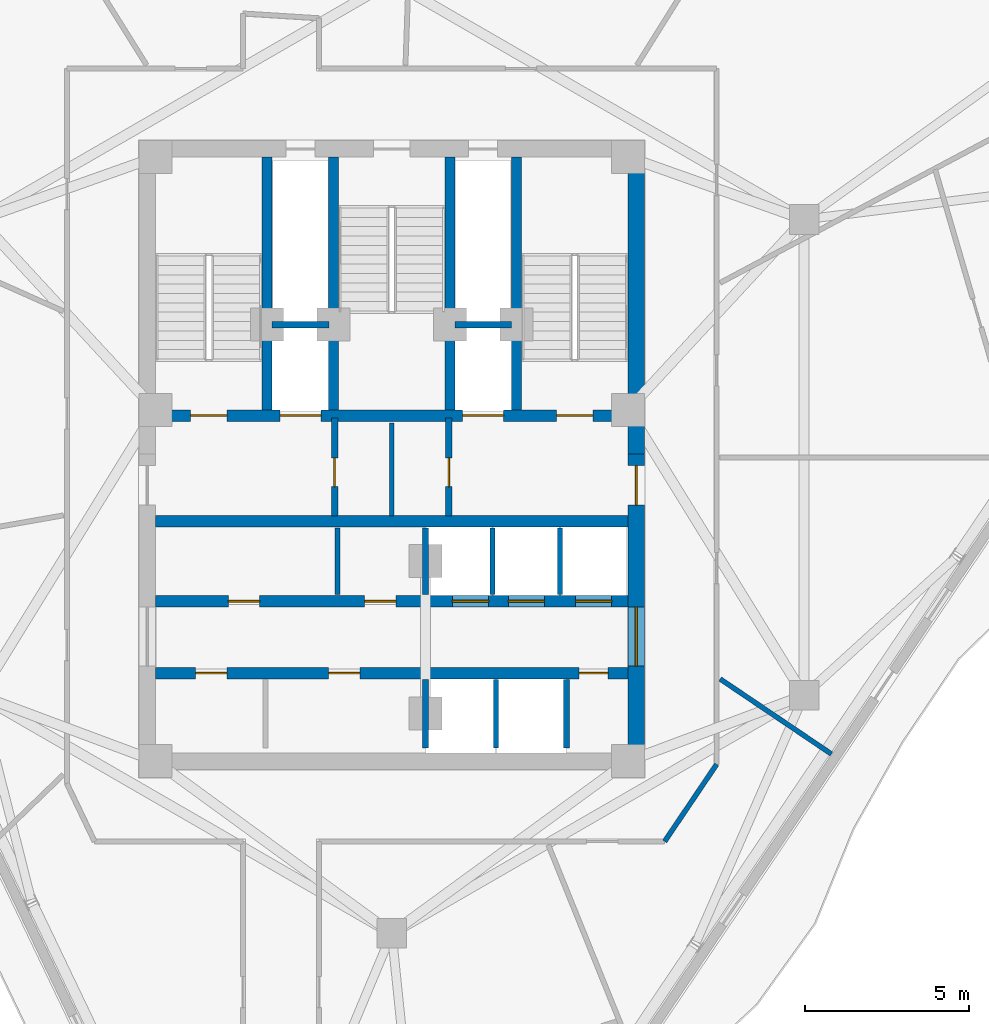
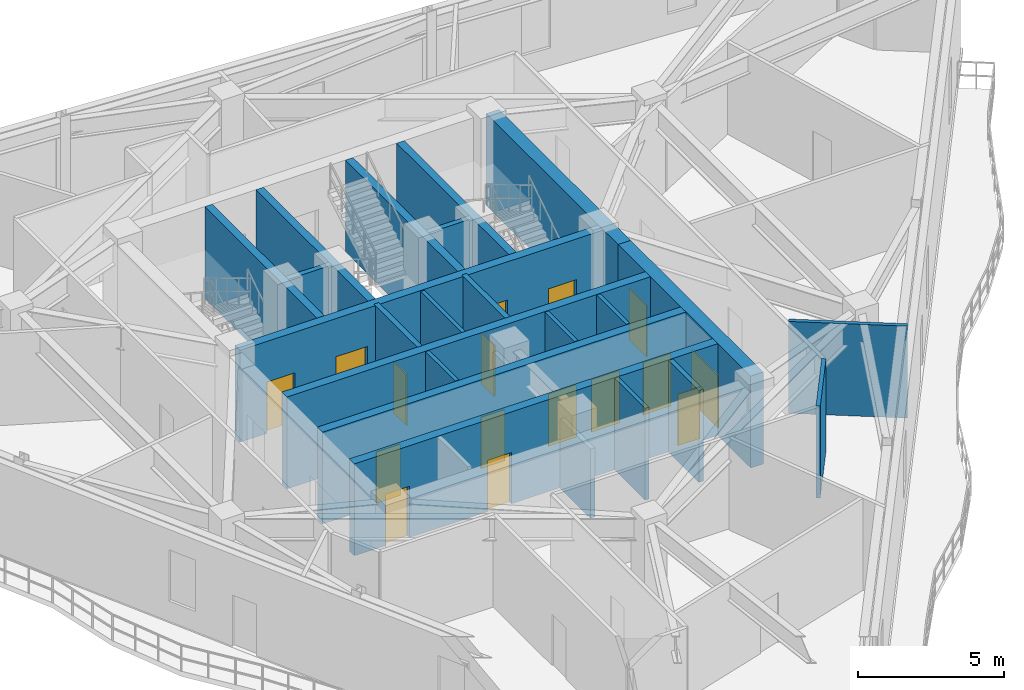
# One storey, part 6 of 11: 24 walls, 16 doors, 16 openings.
"""IFC4 building model written with IfcOpenShell, lengths in metres."""

from ifc_helpers import new_model, si_unit, direction, frame, frame_2d, origin, place, context, subcontext, project, spatial, rectangle, extrude, material, layer, layer_set, type_object, element, fill, save


model = new_model("IFC4")

# Units and contexts
model_context = context("Model", 3, precision=1e-05, world=origin(), true_north=direction((0.0, 1.0)))
body_context = subcontext(model_context, "Body", "Model", "MODEL_VIEW")
ifc_project = project(units=[si_unit("LENGTHUNIT", "METRE"), si_unit("AREAUNIT", "SQUARE_METRE"), si_unit("VOLUMEUNIT", "CUBIC_METRE"), si_unit("PLANEANGLEUNIT", "RADIAN"), si_unit("MASSUNIT", "GRAM", prefix="KILO")], contexts=[model_context])

# Site, building, storey
site_placement = place(None, origin())
site = spatial("IfcSite", under=ifc_project, at=site_placement, CompositionType="ELEMENT")
building_placement = place(site_placement, origin())
building = spatial("IfcBuilding", under=site, at=building_placement, Name="Apsidion Concourse Tower", CompositionType="ELEMENT")
storey_placement = place(building_placement, frame((0.0, 0.0, 306.5)))
storey = spatial("IfcBuildingStorey", under=building, at=storey_placement, Name="L72", CompositionType="ELEMENT", Elevation=306.5)

# Walls
ifc_material_1 = material(Name="Gypsum plasterboard partition")
ifc_layer_1 = layer(ifc_material_1, 0.14990234375)
ifc_layer_set_1 = layer_set([ifc_layer_1], Name="Gypsum plasterboard partition")
wall_type_1 = type_object("IfcWallType", Name="WL-INT-PAR-150", PredefinedType="PARTITIONING", material=ifc_layer_set_1)
for number, where, z_axis, x_axis, name in (
    (1, (-1.64990234375, -4.179931640625, 0.0), (0.0, 0.0, 1.0), (0.0, 1.0, 0.0), "L72 Interior Partition WL-L72-B1RV1"),
    (2, (3.074951171875, -4.179931640625, 0.0), (0.0, 0.0, 1.0), (0.0, 1.0, 0.0), "L72 Interior Partition WL-L72-B3DIV-1"),
    (3, (5.125, -4.179931640625, 0.0), (0.0, 0.0, 1.0), (0.0, 1.0, 0.0), "L72 Interior Partition WL-L72-B3DIV-2"),
):
    element("IfcWall", number, at=place(storey_placement, frame(where, z_axis=z_axis, x_axis=x_axis)), inside=storey, type_object=wall_type_1, Name=name, PredefinedType="PARTITIONING", context=body_context, shape_type="SweptSolid", body=[
        extrude(rectangle(XDim=2.030029296875, YDim=0.14990234375, at=frame_2d((1.01513671875, 0.0))), origin(), (0.0, 0.0, 1.0), 3.85009765625),
    ])
wall_1_placement = place(storey_placement, frame((3.175048828125, -8.85009765625, 0.0), z_axis=(0.0, 0.0, 1.0), x_axis=(0.0, 1.0, 0.0)))
element("IfcWall", 4, at=wall_1_placement, inside=storey, type_object=wall_type_1, Name="L72 Interior Partition WL-L72-SHDIV-1", PredefinedType="PARTITIONING", context=body_context, shape_type="SweptSolid", body=[
    extrude(rectangle(XDim=2.080078125, YDim=0.14990234375, at=frame_2d((1.0400390625, 0.0))), origin(), (0.0, 0.0, 1.0), 3.85009765625),
])
wall_2_placement = place(storey_placement, frame((0.0, -1.780029296875, 0.0), z_axis=(0.0, 0.0, 1.0), x_axis=(0.0, 1.0, 0.0)))
element("IfcWall", 5, at=wall_2_placement, inside=storey, type_object=wall_type_1, Name="L72 Interior Partition WL-L72-K3V", PredefinedType="PARTITIONING", context=body_context, shape_type="SweptSolid", body=[
    extrude(rectangle(XDim=2.830078125, YDim=0.14990234375, at=frame_2d((1.4150390625, 0.0))), origin(), (0.0, 0.0, 1.0), 3.85009765625),
])
wall_3_placement = place(storey_placement, frame((9.89990234375, -9.348388671875, 0.0), z_axis=(0.0, 0.0, 1.0), x_axis=(-0.559200828408, -0.829032227062, 0.0)))
element("IfcWall", 6, at=wall_3_placement, inside=storey, type_object=wall_type_1, Name="L72 Interior Partition WL-L72-CORR-10", PredefinedType="PARTITIONING", context=body_context, shape_type="SweptSolid", body=[
    extrude(rectangle(XDim=2.83642578125, YDim=0.14990234375, at=frame_2d((1.418212890625, 0.0))), origin(), (0.0, 0.0, 1.0), 3.85009765625),
])
wall_4_placement = place(storey_placement, frame((10.0048828125, -6.74853515625, 0.0), z_axis=(0.0, 0.0, 1.0), x_axis=(0.829060536135, -0.559158857056, 0.0)))
element("IfcWall", 7, at=wall_4_placement, inside=storey, type_object=wall_type_1, Name="L72 Interior Partition WL-L72-RAD-11-1", PredefinedType="PARTITIONING", context=body_context, shape_type="SweptSolid", body=[
    extrude(rectangle(XDim=4.086669921875, YDim=0.14990234375, at=frame_2d((2.04345703125, 0.0))), origin(), (0.0, 0.0, 1.0), 3.85009765625),
])
ifc_layer_2 = layer(ifc_material_1, 0.179931640625)
ifc_layer_set_2 = layer_set([ifc_layer_2], Name="Gypsum plasterboard partition")
wall_type_2 = type_object("IfcWallType", Name="WL-INT-PAR-180", PredefinedType="PARTITIONING", material=ifc_layer_set_2)
wall_5_placement = place(storey_placement, frame((1.02490234375, -4.179931640625, 0.0), z_axis=(0.0, 0.0, 1.0), x_axis=(0.0, 1.0, 0.0)))
element("IfcWall", 8, at=wall_5_placement, inside=storey, type_object=wall_type_2, Name="L72 Interior Partition WL-L72-B1END", PredefinedType="PARTITIONING", context=body_context, shape_type="SweptSolid", body=[
    extrude(rectangle(XDim=2.030029296875, YDim=0.179931640625, at=frame_2d((1.01513671875, 0.0))), origin(), (0.0, 0.0, 1.0), 2.89794921875),
])
wall_6_placement = place(storey_placement, frame((1.02490234375, -8.85009765625, 0.0), z_axis=(0.0, 0.0, 1.0), x_axis=(0.0, 1.0, 0.0)))
element("IfcWall", 9, at=wall_6_placement, inside=storey, type_object=wall_type_2, Name="L72 Interior Partition WL-L72-B2END", PredefinedType="PARTITIONING", context=body_context, shape_type="SweptSolid", body=[
    extrude(rectangle(XDim=2.080078125, YDim=0.179931640625, at=frame_2d((1.0400390625, 0.0))), origin(), (0.0, 0.0, 1.0), 2.89794921875),
])
wall_7_placement = place(storey_placement, frame((5.324951171875, -8.85009765625, 0.0), z_axis=(0.0, 0.0, 1.0), x_axis=(0.0, 1.0, 0.0)))
element("IfcWall", 10, at=wall_7_placement, inside=storey, type_object=wall_type_2, Name="L72 Interior Partition WL-L72-SHDIV-2", PredefinedType="PARTITIONING", context=body_context, shape_type="SweptSolid", body=[
    extrude(rectangle(XDim=2.080078125, YDim=0.179931640625, at=frame_2d((1.0400390625, 0.0))), origin(), (0.0, 0.0, 1.0), 3.85009765625),
])
ifc_layer_3 = layer(ifc_material_1, 0.199951171875)
ifc_layer_set_3 = layer_set([ifc_layer_3], Name="Gypsum plasterboard partition")
wall_type_3 = type_object("IfcWallType", Name="WL-INT-PAR-200", PredefinedType="PARTITIONING", material=ifc_layer_set_3)
for number, where, z_axis, x_axis, name in (
    (11, (-3.64990234375, 4.050048828125, 0.0), (0.0, 0.0, 1.0), (1.0, 0.0, 0.0), "L72 Interior Partition WL-L72-FF1-N"),
    (12, (1.919921875, 4.050048828125, 0.0), (0.0, 0.0, 1.0), (1.0, 0.0, 0.0), "L72 Interior Partition WL-L72-FF2-N"),
):
    element("IfcWall", number, at=place(storey_placement, frame(where, z_axis=z_axis, x_axis=x_axis)), inside=storey, type_object=wall_type_3, Name=name, PredefinedType="PARTITIONING", context=body_context, shape_type="SweptSolid", body=[
        extrude(rectangle(XDim=1.72998046875, YDim=0.199951171875, at=frame_2d((0.864990234375, 0.0))), origin(), (0.0, 0.0, 1.0), 3.85009765625),
    ])

# Wall, opening, door
wall_8_placement = place(storey_placement, frame((-1.739990234375, -1.780029296875, 0.0), z_axis=(0.0, 0.0, 1.0), x_axis=(0.0, 1.0, 0.0)))
wall_8 = element("IfcWall", 13, at=wall_8_placement, inside=storey, type_object=wall_type_3, Name="L72 Interior Partition WL-L72-FF1-E", PredefinedType="PARTITIONING", context=body_context, shape_type="SweptSolid", body=[
    extrude(rectangle(XDim=2.97998046875, YDim=0.199951171875, at=frame_2d((1.489990234375, 0.0))), origin(), (0.0, 0.0, 1.0), 3.85009765625),
])
opening_1_placement = place(wall_8_placement, frame((0.889892578125, 0.0, 0.0)))
opening_1 = element("IfcOpeningElement", 14, at=opening_1_placement, cuts=wall_8, Name="Opening D-05R", PredefinedType="OPENING", context=body_context, shape_type="SweptSolid", body=[
    extrude(rectangle(XDim=0.8798828125, YDim=2.14990234375, at=frame_2d((0.43994140625, 1.074951171875))), frame((0.0, 0.10986328125, 0.0), z_axis=(0.0, -1.0, 0.0), x_axis=(1.0, 0.0, 0.0)), (0.0, 0.0, 1.0), 0.219970703125),
])
ifc_material_2 = material(Name="Brushed stainless steel 316", Category="steel")
door_type_1 = type_object("IfcDoorType", Name="DR-INT-D05R", OperationType="SINGLE_SWING_RIGHT", PredefinedType="DOOR", material=ifc_material_2)
door_1_placement = place(opening_1_placement, origin())
door_1 = element("IfcDoor", 15, at=door_1_placement, inside=storey, type_object=door_type_1, Name="L72 Core Pantry Door", OperationType="SINGLE_SWING_RIGHT", OverallHeight=2.14990234375, OverallWidth=0.8798828125, PredefinedType="DOOR", context=body_context, shape_type="SweptSolid", body=[
    extrude(rectangle(XDim=0.8798828125, YDim=2.14990234375, at=frame_2d((0.43994140625, 1.074951171875))), frame((0.0, 0.02490234375, 0.0), z_axis=(0.0, -1.0, 0.0), x_axis=(1.0, 0.0, 0.0)), (0.0, 0.0, 1.0), 0.050048828125),
])
fill(opening_1, door_1)

wall_9_placement = place(storey_placement, frame((1.739990234375, -1.780029296875, 0.0), z_axis=(0.0, 0.0, 1.0), x_axis=(0.0, 1.0, 0.0)))
wall_9 = element("IfcWall", 16, at=wall_9_placement, inside=storey, type_object=wall_type_3, Name="L72 Interior Partition WL-L72-FF2-W", PredefinedType="PARTITIONING", context=body_context, shape_type="SweptSolid", body=[
    extrude(rectangle(XDim=2.97998046875, YDim=0.199951171875, at=frame_2d((1.489990234375, 0.0))), origin(), (0.0, 0.0, 1.0), 3.85009765625),
])
opening_2_placement = place(wall_9_placement, frame((0.889892578125, 0.0, 0.0)))
opening_2 = element("IfcOpeningElement", 17, at=opening_2_placement, cuts=wall_9, Name="Opening D-05L", PredefinedType="OPENING", context=body_context, shape_type="SweptSolid", body=[
    extrude(rectangle(XDim=0.8798828125, YDim=2.14990234375, at=frame_2d((0.43994140625, 1.074951171875))), frame((0.0, 0.10986328125, 0.0), z_axis=(0.0, -1.0, 0.0), x_axis=(1.0, 0.0, 0.0)), (0.0, 0.0, 1.0), 0.219970703125),
])
door_type_2 = type_object("IfcDoorType", Name="DR-INT-D05L", OperationType="SINGLE_SWING_LEFT", PredefinedType="DOOR", material=ifc_material_2)
door_2_placement = place(opening_2_placement, origin())
door_2 = element("IfcDoor", 18, at=door_2_placement, inside=storey, type_object=door_type_2, Name="L72 Core Electrical Door", OperationType="SINGLE_SWING_LEFT", OverallHeight=2.14990234375, OverallWidth=0.8798828125, PredefinedType="DOOR", context=body_context, shape_type="SweptSolid", body=[
    extrude(rectangle(XDim=0.8798828125, YDim=2.14990234375, at=frame_2d((0.43994140625, 1.074951171875))), frame((0.0, 0.02490234375, 0.0), z_axis=(0.0, -1.0, 0.0), x_axis=(1.0, 0.0, 0.0)), (0.0, 0.0, 1.0), 0.050048828125),
])
fill(opening_2, door_2)

# Walls
ifc_material_3 = material(Name="Concrete C50/60", Category="concrete")
ifc_layer_4 = layer(ifc_material_3, 0.300048828125)
ifc_layer_set_4 = layer_set([ifc_layer_4], Name="Concrete C50/60")
wall_type_4 = type_object("IfcWallType", Name="WL-SH-300", PredefinedType="SHEAR", material=ifc_layer_set_4)
for number, where, z_axis, x_axis, name in (
    (19, (-3.800048828125, 1.449951171875, 0.0), (0.0, 0.0, 1.0), (0.0, 1.0, 0.0), "L72 Central Core Shear Wall V1"),
    (20, (-1.77490234375, 1.449951171875, 0.0), (0.0, 0.0, 1.0), (0.0, 1.0, 0.0), "L72 Central Core Shear Wall V2"),
    (21, (1.77490234375, 1.449951171875, 0.0), (0.0, 0.0, 1.0), (0.0, 1.0, 0.0), "L72 Central Core Shear Wall V3"),
    (22, (3.800048828125, 1.449951171875, 0.0), (0.0, 0.0, 1.0), (0.0, 1.0, 0.0), "L72 Central Core Shear Wall V4"),
):
    element("IfcWall", number, at=place(storey_placement, frame(where, z_axis=z_axis, x_axis=x_axis)), inside=storey, type_object=wall_type_4, Name=name, PredefinedType="SHEAR", context=body_context, shape_type="SweptSolid", body=[
        extrude(rectangle(XDim=7.699951171875, YDim=0.300048828125, at=frame_2d((3.85009765625, 0.0))), origin(), (0.0, 0.0, 1.0), 3.85009765625),
    ])

# Wall, openings, doors
ifc_layer_5 = layer(ifc_material_3, 0.35009765625)
ifc_layer_set_5 = layer_set([ifc_layer_5], Name="Concrete C50/60")
wall_type_5 = type_object("IfcWallType", Name="WL-SH-350", PredefinedType="SHEAR", material=ifc_layer_set_5)
wall_10_placement = place(storey_placement, frame((-7.199951171875, 1.27490234375, 0.0), z_axis=(0.0, 0.0, 1.0), x_axis=(1.0, 0.0, 0.0)))
wall_10 = element("IfcWall", 23, at=wall_10_placement, inside=storey, type_object=wall_type_5, Name="L72 Central Core Shear Wall M1", PredefinedType="SHEAR", context=body_context, shape_type="SweptSolid", body=[
    extrude(rectangle(XDim=14.39990234375, YDim=0.35009765625, at=frame_2d((7.199951171875, 0.0))), origin(), (0.0, 0.0, 1.0), 3.85009765625),
])
opening_3_placement = place(wall_10_placement, frame((3.794921875, 0.0, 0.0)))
opening_3 = element("IfcOpeningElement", 24, at=opening_3_placement, cuts=wall_10, Name="Opening LD-FF", PredefinedType="OPENING", context=body_context, shape_type="SweptSolid", body=[
    extrude(rectangle(XDim=1.25, YDim=2.25, at=frame_2d((0.625, 1.125))), frame((0.0, 0.18505859375, 0.0), z_axis=(0.0, -1.0, 0.0), x_axis=(1.0, 0.0, 0.0)), (0.0, 0.0, 1.0), 0.3701171875),
])
opening_4_placement = place(wall_10_placement, frame((9.35498046875, 0.0, 0.0)))
opening_4 = element("IfcOpeningElement", 25, at=opening_4_placement, cuts=wall_10, Name="Opening LD-FF", PredefinedType="OPENING", context=body_context, shape_type="SweptSolid", body=[
    extrude(rectangle(XDim=1.25, YDim=2.25, at=frame_2d((0.625, 1.125))), frame((0.0, 0.18505859375, 0.0), z_axis=(0.0, -1.0, 0.0), x_axis=(1.0, 0.0, 0.0)), (0.0, 0.0, 1.0), 0.3701171875),
])
opening_5_placement = place(wall_10_placement, frame((1.074951171875, 0.0, 0.0)))
opening_5 = element("IfcOpeningElement", 26, at=opening_5_placement, cuts=wall_10, Name="Opening D-STL", PredefinedType="OPENING", context=body_context, shape_type="SweptSolid", body=[
    extrude(rectangle(XDim=1.10009765625, YDim=2.14990234375, at=frame_2d((0.550048828125, 1.074951171875))), frame((0.0, 0.18505859375, 0.0), z_axis=(0.0, -1.0, 0.0), x_axis=(1.0, 0.0, 0.0)), (0.0, 0.0, 1.0), 0.3701171875),
])
opening_6_placement = place(wall_10_placement, frame((12.22509765625, 0.0, 0.0)))
opening_6 = element("IfcOpeningElement", 27, at=opening_6_placement, cuts=wall_10, Name="Opening D-STR", PredefinedType="OPENING", context=body_context, shape_type="SweptSolid", body=[
    extrude(rectangle(XDim=1.10009765625, YDim=2.14990234375, at=frame_2d((0.550048828125, 1.074951171875))), frame((0.0, 0.18505859375, 0.0), z_axis=(0.0, -1.0, 0.0), x_axis=(1.0, 0.0, 0.0)), (0.0, 0.0, 1.0), 0.3701171875),
])
door_type_3 = type_object("IfcDoorType", Name="DR-INT-ST1L", OperationType="SINGLE_SWING_LEFT", PredefinedType="DOOR", material=ifc_material_2)
door_3_placement = place(opening_5_placement, origin())
door_3 = element("IfcDoor", 28, at=door_3_placement, inside=storey, type_object=door_type_3, Name="L72 Core Exit Stair ST1 Door", OperationType="SINGLE_SWING_LEFT", OverallHeight=2.14990234375, OverallWidth=1.10009765625, PredefinedType="DOOR", context=body_context, shape_type="SweptSolid", body=[
    extrude(rectangle(XDim=1.10009765625, YDim=2.14990234375, at=frame_2d((0.550048828125, 1.074951171875))), frame((0.0, 0.02490234375, 0.0), z_axis=(0.0, -1.0, 0.0), x_axis=(1.0, 0.0, 0.0)), (0.0, 0.0, 1.0), 0.050048828125),
])
fill(opening_5, door_3)
door_type_4 = type_object("IfcDoorType", Name="DR-INT-ST1R", OperationType="SINGLE_SWING_RIGHT", PredefinedType="DOOR", material=ifc_material_2)
door_4_placement = place(opening_6_placement, origin())
door_4 = element("IfcDoor", 29, at=door_4_placement, inside=storey, type_object=door_type_4, Name="L72 Core Exit Stair ST2 Door", OperationType="SINGLE_SWING_RIGHT", OverallHeight=2.14990234375, OverallWidth=1.10009765625, PredefinedType="DOOR", context=body_context, shape_type="SweptSolid", body=[
    extrude(rectangle(XDim=1.10009765625, YDim=2.14990234375, at=frame_2d((0.550048828125, 1.074951171875))), frame((0.0, 0.02490234375, 0.0), z_axis=(0.0, -1.0, 0.0), x_axis=(1.0, 0.0, 0.0)), (0.0, 0.0, 1.0), 0.050048828125),
])
fill(opening_6, door_4)
door_type_5 = type_object("IfcDoorType", Name="DR-LD-FSAE", OperationType="DOUBLE_DOOR_SLIDING", PredefinedType="DOOR", material=ifc_material_2)
door_5_placement = place(opening_3_placement, origin())
door_5 = element("IfcDoor", 30, at=door_5_placement, inside=storey, type_object=door_type_5, Name="L72 Lift Landing Door FF1", OperationType="DOUBLE_DOOR_SLIDING", OverallHeight=2.25, OverallWidth=1.25, PredefinedType="DOOR", context=body_context, shape_type="SweptSolid", body=[
    extrude(rectangle(XDim=1.25, YDim=2.25, at=frame_2d((0.625, 1.125))), frame((0.0, 0.02490234375, 0.0), z_axis=(0.0, -1.0, 0.0), x_axis=(1.0, 0.0, 0.0)), (0.0, 0.0, 1.0), 0.050048828125),
])
fill(opening_3, door_5)
door_6_placement = place(opening_4_placement, origin())
door_6 = element("IfcDoor", 31, at=door_6_placement, inside=storey, type_object=door_type_5, Name="L72 Lift Landing Door FF2", OperationType="DOUBLE_DOOR_SLIDING", OverallHeight=2.25, OverallWidth=1.25, PredefinedType="DOOR", context=body_context, shape_type="SweptSolid", body=[
    extrude(rectangle(XDim=1.25, YDim=2.25, at=frame_2d((0.625, 1.125))), frame((0.0, 0.02490234375, 0.0), z_axis=(0.0, -1.0, 0.0), x_axis=(1.0, 0.0, 0.0)), (0.0, 0.0, 1.0), 0.050048828125),
])
fill(opening_4, door_6)

# Wall
wall_11_placement = place(storey_placement, frame((-7.199951171875, -1.949951171875, 0.0), z_axis=(0.0, 0.0, 1.0), x_axis=(1.0, 0.0, 0.0)))
element("IfcWall", 32, at=wall_11_placement, inside=storey, type_object=wall_type_5, Name="L72 Central Core Shear Wall M2", PredefinedType="SHEAR", context=body_context, shape_type="SweptSolid", body=[
    extrude(rectangle(XDim=14.39990234375, YDim=0.35009765625, at=frame_2d((7.199951171875, 0.0))), origin(), (0.0, 0.0, 1.0), 3.85009765625),
])

# Wall, openings, doors
wall_12_placement = place(storey_placement, frame((-7.199951171875, -4.3798828125, 0.0), z_axis=(0.0, 0.0, 1.0), x_axis=(1.0, 0.0, 0.0)))
wall_12 = element("IfcWall", 33, at=wall_12_placement, inside=storey, type_object=wall_type_5, Name="L72 Central Core Shear Wall LA", PredefinedType="SHEAR", context=body_context, shape_type="SweptSolid", body=[
    extrude(rectangle(XDim=14.39990234375, YDim=0.35009765625, at=frame_2d((7.199951171875, 0.0))), origin(), (0.0, 0.0, 1.0), 3.85009765625),
])
opening_7_placement = place(wall_12_placement, frame((9.050048828125, 0.0, 0.0)))
opening_7 = element("IfcOpeningElement", 34, at=opening_7_placement, cuts=wall_12, Name="Opening LD-P1", PredefinedType="OPENING", context=body_context, shape_type="SweptSolid", body=[
    extrude(rectangle(XDim=1.10009765625, YDim=2.199951171875, at=frame_2d((0.550048828125, 1.10009765625))), frame((0.0, 0.18505859375, 0.0), z_axis=(0.0, -1.0, 0.0), x_axis=(1.0, 0.0, 0.0)), (0.0, 0.0, 1.0), 0.3701171875),
])
opening_8_placement = place(wall_12_placement, frame((10.75, 0.0, 0.0)))
opening_8 = element("IfcOpeningElement", 35, at=opening_8_placement, cuts=wall_12, Name="Opening LD-P1", PredefinedType="OPENING", context=body_context, shape_type="SweptSolid", body=[
    extrude(rectangle(XDim=1.10009765625, YDim=2.199951171875, at=frame_2d((0.550048828125, 1.10009765625))), frame((0.0, 0.18505859375, 0.0), z_axis=(0.0, -1.0, 0.0), x_axis=(1.0, 0.0, 0.0)), (0.0, 0.0, 1.0), 0.3701171875),
])
opening_9_placement = place(wall_12_placement, frame((12.800048828125, 0.0, 0.0)))
opening_9 = element("IfcOpeningElement", 36, at=opening_9_placement, cuts=wall_12, Name="Opening LD-P1", PredefinedType="OPENING", context=body_context, shape_type="SweptSolid", body=[
    extrude(rectangle(XDim=1.10009765625, YDim=2.199951171875, at=frame_2d((0.550048828125, 1.10009765625))), frame((0.0, 0.18505859375, 0.0), z_axis=(0.0, -1.0, 0.0), x_axis=(1.0, 0.0, 0.0)), (0.0, 0.0, 1.0), 0.3701171875),
])
opening_10_placement = place(wall_12_placement, frame((2.22509765625, 0.0, 0.0)))
opening_10 = element("IfcOpeningElement", 37, at=opening_10_placement, cuts=wall_12, Name="Opening D-04L", PredefinedType="OPENING", context=body_context, shape_type="SweptSolid", body=[
    extrude(rectangle(XDim=0.949951171875, YDim=2.14990234375, at=frame_2d((0.47509765625, 1.074951171875))), frame((0.0, 0.18505859375, 0.0), z_axis=(0.0, -1.0, 0.0), x_axis=(1.0, 0.0, 0.0)), (0.0, 0.0, 1.0), 0.3701171875),
])
opening_11_placement = place(wall_12_placement, frame((6.375, 0.0, 0.0)))
opening_11 = element("IfcOpeningElement", 38, at=opening_11_placement, cuts=wall_12, Name="Opening D-04R", PredefinedType="OPENING", context=body_context, shape_type="SweptSolid", body=[
    extrude(rectangle(XDim=0.949951171875, YDim=2.14990234375, at=frame_2d((0.47509765625, 1.074951171875))), frame((0.0, 0.18505859375, 0.0), z_axis=(0.0, -1.0, 0.0), x_axis=(1.0, 0.0, 0.0)), (0.0, 0.0, 1.0), 0.3701171875),
])
door_type_6 = type_object("IfcDoorType", Name="DR-INT-D04L", OperationType="SINGLE_SWING_LEFT", PredefinedType="DOOR", material=ifc_material_2)
door_7_placement = place(opening_10_placement, origin())
door_7 = element("IfcDoor", 39, at=door_7_placement, inside=storey, type_object=door_type_6, Name="L72 Tenant Records Archive Room Door", OperationType="SINGLE_SWING_LEFT", OverallHeight=2.14990234375, OverallWidth=0.949951171875, PredefinedType="DOOR", context=body_context, shape_type="SweptSolid", body=[
    extrude(rectangle(XDim=0.949951171875, YDim=2.14990234375, at=frame_2d((0.47509765625, 1.074951171875))), frame((0.0, 0.02490234375, 0.0), z_axis=(0.0, -1.0, 0.0), x_axis=(1.0, 0.0, 0.0)), (0.0, 0.0, 1.0), 0.050048828125),
])
fill(opening_10, door_7)
door_type_7 = type_object("IfcDoorType", Name="DR-INT-D04R", OperationType="SINGLE_SWING_RIGHT", PredefinedType="DOOR", material=ifc_material_2)
door_8_placement = place(opening_11_placement, origin())
door_8 = element("IfcDoor", 40, at=door_8_placement, inside=storey, type_object=door_type_7, Name="L72 Core Beverage Pantry Door", OperationType="SINGLE_SWING_RIGHT", OverallHeight=2.14990234375, OverallWidth=0.949951171875, PredefinedType="DOOR", context=body_context, shape_type="SweptSolid", body=[
    extrude(rectangle(XDim=0.949951171875, YDim=2.14990234375, at=frame_2d((0.47509765625, 1.074951171875))), frame((0.0, 0.02490234375, 0.0), z_axis=(0.0, -1.0, 0.0), x_axis=(1.0, 0.0, 0.0)), (0.0, 0.0, 1.0), 0.050048828125),
])
fill(opening_11, door_8)
door_type_8 = type_object("IfcDoorType", Name="DR-LD-PASS", OperationType="DOUBLE_DOOR_SLIDING", PredefinedType="DOOR", material=ifc_material_2)
door_9_placement = place(opening_7_placement, origin())
door_9 = element("IfcDoor", 41, at=door_9_placement, inside=storey, type_object=door_type_8, Name="L72 Lift Landing Door P9", OperationType="DOUBLE_DOOR_SLIDING", OverallHeight=2.199951171875, OverallWidth=1.10009765625, PredefinedType="DOOR", context=body_context, shape_type="SweptSolid", body=[
    extrude(rectangle(XDim=1.10009765625, YDim=2.199951171875, at=frame_2d((0.550048828125, 1.10009765625))), frame((0.0, 0.02490234375, 0.0), z_axis=(0.0, -1.0, 0.0), x_axis=(1.0, 0.0, 0.0)), (0.0, 0.0, 1.0), 0.050048828125),
])
fill(opening_7, door_9)
door_10_placement = place(opening_8_placement, origin())
door_10 = element("IfcDoor", 42, at=door_10_placement, inside=storey, type_object=door_type_8, Name="L72 Lift Landing Door P10", OperationType="DOUBLE_DOOR_SLIDING", OverallHeight=2.199951171875, OverallWidth=1.10009765625, PredefinedType="DOOR", context=body_context, shape_type="SweptSolid", body=[
    extrude(rectangle(XDim=1.10009765625, YDim=2.199951171875, at=frame_2d((0.550048828125, 1.10009765625))), frame((0.0, 0.02490234375, 0.0), z_axis=(0.0, -1.0, 0.0), x_axis=(1.0, 0.0, 0.0)), (0.0, 0.0, 1.0), 0.050048828125),
])
fill(opening_8, door_10)
door_11_placement = place(opening_9_placement, origin())
door_11 = element("IfcDoor", 43, at=door_11_placement, inside=storey, type_object=door_type_8, Name="L72 Lift Landing Door P11", OperationType="DOUBLE_DOOR_SLIDING", OverallHeight=2.199951171875, OverallWidth=1.10009765625, PredefinedType="DOOR", context=body_context, shape_type="SweptSolid", body=[
    extrude(rectangle(XDim=1.10009765625, YDim=2.199951171875, at=frame_2d((0.550048828125, 1.10009765625))), frame((0.0, 0.02490234375, 0.0), z_axis=(0.0, -1.0, 0.0), x_axis=(1.0, 0.0, 0.0)), (0.0, 0.0, 1.0), 0.050048828125),
])
fill(opening_9, door_11)

wall_13_placement = place(storey_placement, frame((-7.199951171875, -6.570068359375, 0.0), z_axis=(0.0, 0.0, 1.0), x_axis=(1.0, 0.0, 0.0)))
wall_13 = element("IfcWall", 44, at=wall_13_placement, inside=storey, type_object=wall_type_5, Name="L72 Central Core Shear Wall LB", PredefinedType="SHEAR", context=body_context, shape_type="SweptSolid", body=[
    extrude(rectangle(XDim=14.39990234375, YDim=0.35009765625, at=frame_2d((7.199951171875, 0.0))), origin(), (0.0, 0.0, 1.0), 3.85009765625),
])
opening_12_placement = place(wall_13_placement, frame((1.22509765625, 0.0, 0.0)))
opening_12 = element("IfcOpeningElement", 45, at=opening_12_placement, cuts=wall_13, Name="Opening D-04R", PredefinedType="OPENING", context=body_context, shape_type="SweptSolid", body=[
    extrude(rectangle(XDim=0.949951171875, YDim=2.14990234375, at=frame_2d((0.47509765625, 1.074951171875))), frame((0.0, 0.18505859375, 0.0), z_axis=(0.0, -1.0, 0.0), x_axis=(1.0, 0.0, 0.0)), (0.0, 0.0, 1.0), 0.3701171875),
])
opening_13_placement = place(wall_13_placement, frame((5.27490234375, 0.0, 0.0)))
opening_13 = element("IfcOpeningElement", 46, at=opening_13_placement, cuts=wall_13, Name="Opening D-04L", PredefinedType="OPENING", context=body_context, shape_type="SweptSolid", body=[
    extrude(rectangle(XDim=0.949951171875, YDim=2.14990234375, at=frame_2d((0.47509765625, 1.074951171875))), frame((0.0, 0.18505859375, 0.0), z_axis=(0.0, -1.0, 0.0), x_axis=(1.0, 0.0, 0.0)), (0.0, 0.0, 1.0), 0.3701171875),
])
opening_14_placement = place(wall_13_placement, frame((12.909912109375, 0.0, 0.0)))
opening_14 = element("IfcOpeningElement", 47, at=opening_14_placement, cuts=wall_13, Name="Opening D-05L", PredefinedType="OPENING", context=body_context, shape_type="SweptSolid", body=[
    extrude(rectangle(XDim=0.8798828125, YDim=2.14990234375, at=frame_2d((0.43994140625, 1.074951171875))), frame((0.0, 0.18505859375, 0.0), z_axis=(0.0, -1.0, 0.0), x_axis=(1.0, 0.0, 0.0)), (0.0, 0.0, 1.0), 0.3701171875),
])
door_12_placement = place(opening_13_placement, origin())
door_12 = element("IfcDoor", 48, at=door_12_placement, inside=storey, type_object=door_type_6, Name="L72 Executive Servery Pantry Door", OperationType="SINGLE_SWING_LEFT", OverallHeight=2.14990234375, OverallWidth=0.949951171875, PredefinedType="DOOR", context=body_context, shape_type="SweptSolid", body=[
    extrude(rectangle(XDim=0.949951171875, YDim=2.14990234375, at=frame_2d((0.47509765625, 1.074951171875))), frame((0.0, 0.02490234375, 0.0), z_axis=(0.0, -1.0, 0.0), x_axis=(1.0, 0.0, 0.0)), (0.0, 0.0, 1.0), 0.050048828125),
])
fill(opening_13, door_12)
door_13_placement = place(opening_12_placement, origin())
door_13 = element("IfcDoor", 49, at=door_13_placement, inside=storey, type_object=door_type_7, Name="L72 Executive Records Store Door", OperationType="SINGLE_SWING_RIGHT", OverallHeight=2.14990234375, OverallWidth=0.949951171875, PredefinedType="DOOR", context=body_context, shape_type="SweptSolid", body=[
    extrude(rectangle(XDim=0.949951171875, YDim=2.14990234375, at=frame_2d((0.47509765625, 1.074951171875))), frame((0.0, 0.02490234375, 0.0), z_axis=(0.0, -1.0, 0.0), x_axis=(1.0, 0.0, 0.0)), (0.0, 0.0, 1.0), 0.050048828125),
])
fill(opening_12, door_13)
door_14_placement = place(opening_14_placement, origin())
door_14 = element("IfcDoor", 50, at=door_14_placement, inside=storey, type_object=door_type_2, Name="L72 Cleaners Store Door", OperationType="SINGLE_SWING_LEFT", OverallHeight=2.14990234375, OverallWidth=0.8798828125, PredefinedType="DOOR", context=body_context, shape_type="SweptSolid", body=[
    extrude(rectangle(XDim=0.8798828125, YDim=2.14990234375, at=frame_2d((0.43994140625, 1.074951171875))), frame((0.0, 0.02490234375, 0.0), z_axis=(0.0, -1.0, 0.0), x_axis=(1.0, 0.0, 0.0)), (0.0, 0.0, 1.0), 0.050048828125),
])
fill(opening_14, door_14)

# Wall
ifc_layer_6 = layer(ifc_material_3, 0.5)
ifc_layer_set_6 = layer_set([ifc_layer_6], Name="Concrete C50/60")
wall_type_6 = type_object("IfcWallType", Name="WL-SH-500", PredefinedType="SHEAR", material=ifc_layer_set_6)
wall_14_placement = place(storey_placement, frame((7.449951171875, 0.10009765625, 0.0), z_axis=(0.0, 0.0, 1.0), x_axis=(0.0, 1.0, 0.0)))
element("IfcWall", 51, at=wall_14_placement, inside=storey, type_object=wall_type_6, Name="L72 Central Core Shear Wall EN", PredefinedType="SHEAR", context=body_context, shape_type="SweptSolid", body=[
    extrude(rectangle(XDim=9.0498046875, YDim=0.5, at=frame_2d((4.52490234375, 0.0))), origin(), (0.0, 0.0, 1.0), 3.85009765625),
])

# Wall, openings, doors
wall_15_placement = place(storey_placement, frame((7.449951171875, -9.0, 0.0), z_axis=(0.0, 0.0, 1.0), x_axis=(0.0, 1.0, 0.0)))
wall_15 = element("IfcWall", 52, at=wall_15_placement, inside=storey, type_object=wall_type_6, Name="L72 Central Core Shear Wall ES", PredefinedType="SHEAR", context=body_context, shape_type="SweptSolid", body=[
    extrude(rectangle(XDim=9.10009765625, YDim=0.5, at=frame_2d((4.550048828125, 0.0))), origin(), (0.0, 0.0, 1.0), 3.85009765625),
])
opening_15_placement = place(wall_15_placement, frame((2.639892578125, 0.0, 0.0)))
opening_15 = element("IfcOpeningElement", 53, at=opening_15_placement, cuts=wall_15, Name="Opening D-06D", PredefinedType="OPENING", context=body_context, shape_type="SweptSolid", body=[
    extrude(rectangle(XDim=1.800048828125, YDim=2.199951171875, at=frame_2d((0.89990234375, 1.10009765625))), frame((0.0, 0.260009765625, 0.0), z_axis=(0.0, -1.0, 0.0), x_axis=(1.0, 0.0, 0.0)), (0.0, 0.0, 1.0), 0.52001953125),
])
opening_16_placement = place(wall_15_placement, frame((7.550048828125, 0.0, 0.0)))
opening_16 = element("IfcOpeningElement", 54, at=opening_16_placement, cuts=wall_15, Name="Opening D-FFR", PredefinedType="OPENING", context=body_context, shape_type="SweptSolid", body=[
    extrude(rectangle(XDim=1.199951171875, YDim=2.14990234375, at=frame_2d((0.60009765625, 1.074951171875))), frame((0.0, 0.260009765625, 0.0), z_axis=(0.0, -1.0, 0.0), x_axis=(1.0, 0.0, 0.0)), (0.0, 0.0, 1.0), 0.52001953125),
])
door_type_9 = type_object("IfcDoorType", Name="DR-INT-D06D", OperationType="DOUBLE_DOOR_SINGLE_SWING", PredefinedType="DOOR", material=ifc_material_2)
door_15_placement = place(opening_15_placement, origin())
door_15 = element("IfcDoor", 55, at=door_15_placement, inside=storey, type_object=door_type_9, Name="L72 Passenger Lift Lobby ES Portal Door", OperationType="DOUBLE_DOOR_SINGLE_SWING", OverallHeight=2.199951171875, OverallWidth=1.800048828125, PredefinedType="DOOR", context=body_context, shape_type="SweptSolid", body=[
    extrude(rectangle(XDim=1.800048828125, YDim=2.199951171875, at=frame_2d((0.89990234375, 1.10009765625))), frame((0.0, 0.02490234375, 0.0), z_axis=(0.0, -1.0, 0.0), x_axis=(1.0, 0.0, 0.0)), (0.0, 0.0, 1.0), 0.050048828125),
])
fill(opening_15, door_15)
door_type_10 = type_object("IfcDoorType", Name="DR-INT-FFR", OperationType="SINGLE_SWING_RIGHT", PredefinedType="DOOR", material=ifc_material_2)
door_16_placement = place(opening_16_placement, origin())
door_16 = element("IfcDoor", 56, at=door_16_placement, inside=storey, type_object=door_type_10, Name="L72 Firefighting Lift Lobby FF2 Door", OperationType="SINGLE_SWING_RIGHT", OverallHeight=2.14990234375, OverallWidth=1.199951171875, PredefinedType="DOOR", context=body_context, shape_type="SweptSolid", body=[
    extrude(rectangle(XDim=1.199951171875, YDim=2.14990234375, at=frame_2d((0.60009765625, 1.074951171875))), frame((0.0, 0.02490234375, 0.0), z_axis=(0.0, -1.0, 0.0), x_axis=(1.0, 0.0, 0.0)), (0.0, 0.0, 1.0), 0.050048828125),
])
fill(opening_16, door_16)

save(model, "model.ifc")
